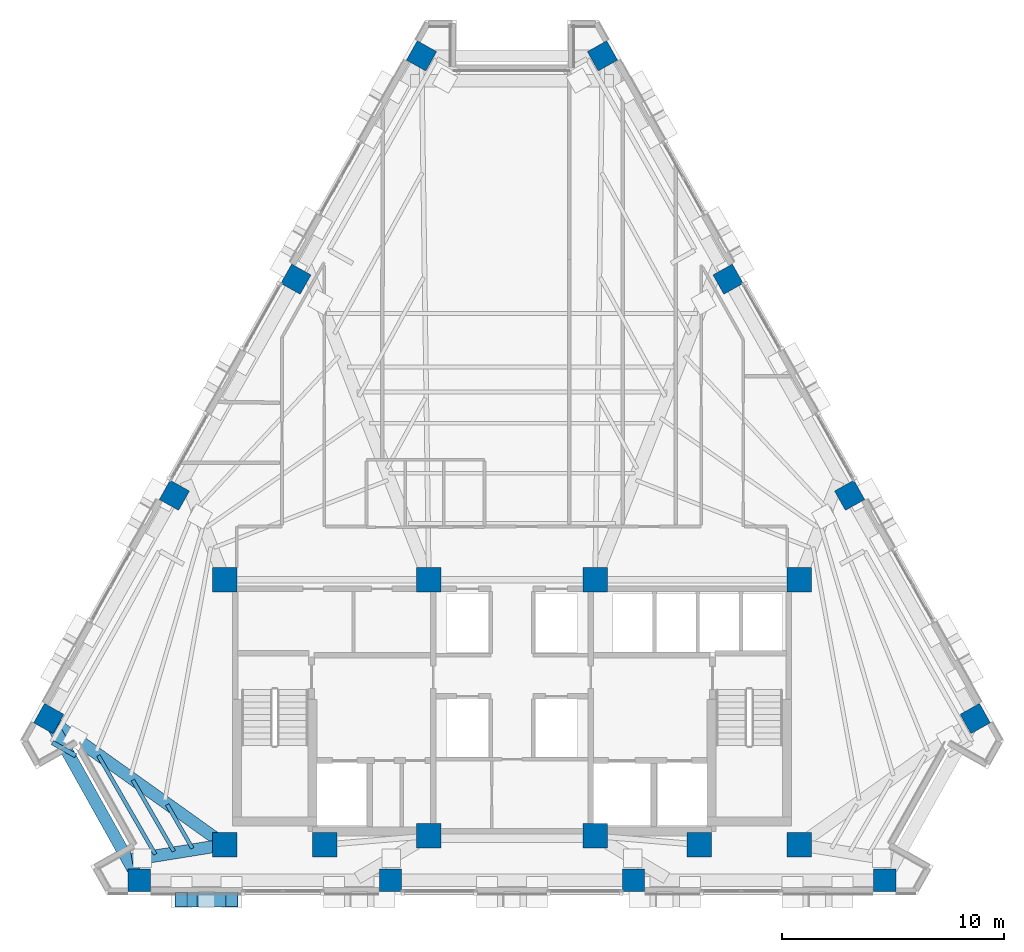
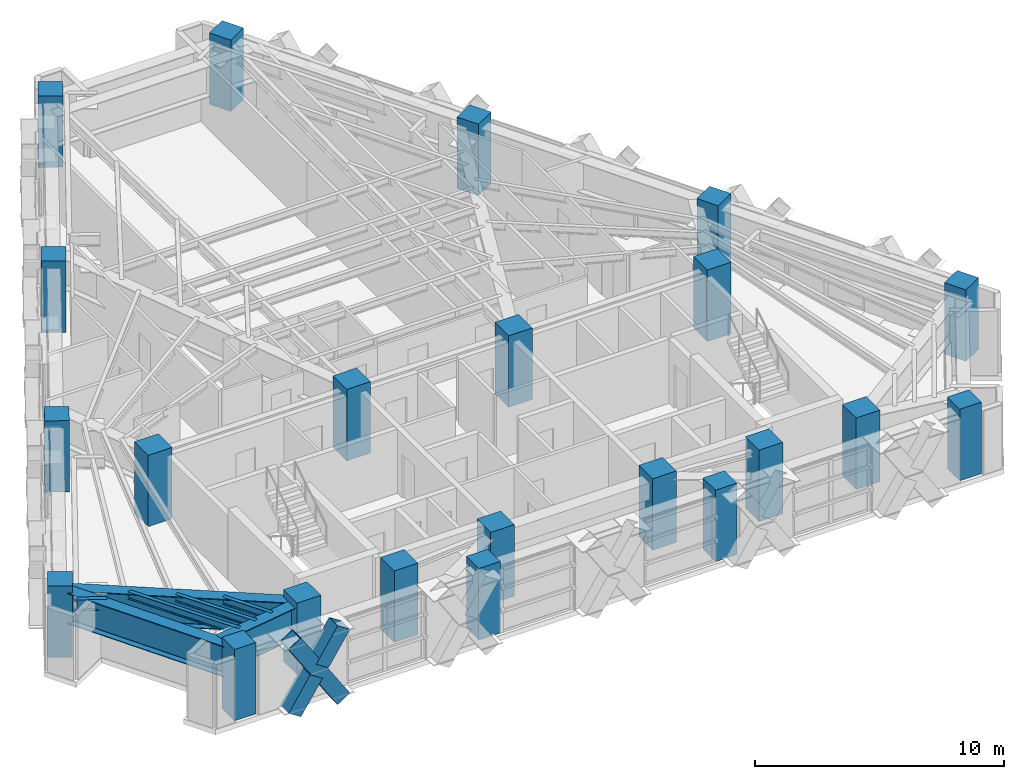
# One storey, part 1 of 13: 22 columns, 7 beams, 3 members.
"""IFC4 building model written with IfcOpenShell, lengths in metres."""

from ifc_helpers import new_model, si_unit, direction, frame, origin, origin_2d, place, context, subcontext, project, spatial, rectangle, hollow_rectangle, i_section, extrude, material, material_profile, profile_set, type_object, element, save


model = new_model("IFC4")

# Units and contexts
model_context = context("Model", 3, precision=1e-05, world=origin(), true_north=direction((0.0, 1.0)))
body_context = subcontext(model_context, "Body", "Model", "MODEL_VIEW")
ifc_project = project(units=[si_unit("LENGTHUNIT", "METRE"), si_unit("AREAUNIT", "SQUARE_METRE"), si_unit("VOLUMEUNIT", "CUBIC_METRE"), si_unit("PLANEANGLEUNIT", "RADIAN"), si_unit("MASSUNIT", "GRAM", prefix="KILO")], contexts=[model_context])

# Site, building, storey
site_placement = place(None, origin())
site = spatial("IfcSite", under=ifc_project, at=site_placement, CompositionType="ELEMENT")
building_placement = place(site_placement, origin())
building = spatial("IfcBuilding", under=site, at=building_placement, Name="Quenlor Broadcast Tower", CompositionType="ELEMENT")
storey_placement = place(building_placement, frame((0.0, 0.0, 175.5)))
storey = spatial("IfcBuildingStorey", under=building, at=storey_placement, Name="L48", CompositionType="ELEMENT", Elevation=175.5)

# Columns
ifc_material_1 = material(Name="Concrete C65/80", Category="concrete")
ifc_material_profile_1 = material_profile(ifc_material_1, rectangle(XDim=1.10009765625, YDim=1.10009765625, at=origin_2d()))
ifc_profile_set_1 = profile_set([ifc_material_profile_1], Name="Concrete C65/80 RC1100x1100")
column_type_1 = type_object("IfcColumnType", Name="Core Corner Column Mid Concrete C65/80 1100", PredefinedType="COLUMN", material=ifc_profile_set_1)
for number, where, z_axis, x_axis, name in (
    (1, (-12.949951171875, -16.75, 0.0), (0.0, 0.0, 1.0), (1.0, 0.0, 0.0), "L48 Core Column CC1"),
    (2, (-8.449951171875, -16.75, 0.0), (0.0, 0.0, 1.0), (1.0, 0.0, 0.0), "L48 Core Column CC2"),
    (3, (-3.75, -16.35009765625, 0.0), (0.0, 0.0, 1.0), (1.0, 0.0, 0.0), "L48 Core Column CC3"),
    (4, (3.75, -16.35009765625, 0.0), (0.0, 0.0, 1.0), (1.0, 0.0, 0.0), "L48 Core Column CC4"),
    (5, (8.449951171875, -16.75, 0.0), (0.0, 0.0, 1.0), (1.0, 0.0, 0.0), "L48 Core Column CC5"),
    (6, (12.949951171875, -16.75, 0.0), (0.0, 0.0, 1.0), (1.0, 0.0, 0.0), "L48 Core Column CC6"),
    (7, (-12.949951171875, -4.800048828125, 0.0), (0.0, 0.0, 1.0), (1.0, 0.0, 0.0), "L48 Core Column CC7"),
    (8, (-3.75, -4.800048828125, 0.0), (0.0, 0.0, 1.0), (1.0, 0.0, 0.0), "L48 Core Column CC8"),
    (9, (3.75, -4.800048828125, 0.0), (0.0, 0.0, 1.0), (1.0, 0.0, 0.0), "L48 Core Column CC9"),
    (10, (12.949951171875, -4.800048828125, 0.0), (0.0, 0.0, 1.0), (1.0, 0.0, 0.0), "L48 Core Column CC10"),
):
    element("IfcColumn", number, at=place(storey_placement, frame(where, z_axis=z_axis, x_axis=x_axis)), inside=storey, type_object=column_type_1, Name=name, PredefinedType="COLUMN", context=body_context, shape_type="SweptSolid", body=[
        extrude(rectangle(XDim=1.10009765625, YDim=1.10009765625, at=origin_2d()), origin(), (0.0, 0.0, 1.0), 3.5),
    ])
ifc_material_2 = material(Name="Concrete C50/60", Category="concrete")
ifc_material_profile_2 = material_profile(ifc_material_2, rectangle(XDim=1.0, YDim=1.0, at=origin_2d()))
ifc_profile_set_2 = profile_set([ifc_material_profile_2], Name="Concrete C50/60 RC1000x1000")
column_type_2 = type_object("IfcColumnType", Name="Tower Perimeter Column Z3 Concrete C50/60 1000", PredefinedType="COLUMN", material=ifc_profile_set_2)
for number, where, z_axis, x_axis, name in (
    (11, (-16.808349609375, -18.35009765625, 0.0), (0.0, 0.0, 1.0), (0.0, 1.0, 0.0), "L48 Perimeter Column S1"),
    (12, (-5.48095703125, -18.35009765625, 0.0), (0.0, 0.0, 1.0), (0.0, 1.0, 0.0), "L48 Perimeter Column S2"),
    (13, (5.48095703125, -18.35009765625, 0.0), (0.0, 0.0, 1.0), (0.0, 1.0, 0.0), "L48 Perimeter Column S3"),
    (14, (16.808349609375, -18.35009765625, 0.0), (0.0, 0.0, 1.0), (0.0, 1.0, 0.0), "L48 Perimeter Column S4"),
    (15, (20.8876953125, -11.0595703125, 0.0), (0.0, 0.0, 1.0), (0.871575139605, 0.490261946333, 0.0), "L48 Perimeter Column NE1"),
    (16, (15.22412109375, -0.99072265625, 0.0), (0.0, 0.0, 1.0), (0.871575139605, 0.490261946333, 0.0), "L48 Perimeter Column NE2"),
    (17, (9.742919921875, 8.75341796875, 0.0), (0.0, 0.0, 1.0), (0.871575139605, 0.490261946333, 0.0), "L48 Perimeter Column NE3"),
    (18, (4.079345703125, 18.822021484375, 0.0), (0.0, 0.0, 1.0), (0.871575139605, 0.490261946333, 0.0), "L48 Perimeter Column NE4"),
    (19, (-4.079345703125, 18.822021484375, 0.0), (0.0, 0.0, 1.0), (-0.871575139605, 0.490261946333, 0.0), "L48 Perimeter Column NW1"),
    (20, (-9.742919921875, 8.75341796875, 0.0), (0.0, 0.0, 1.0), (-0.871575139605, 0.490261946333, 0.0), "L48 Perimeter Column NW2"),
    (21, (-15.22412109375, -0.99072265625, 0.0), (0.0, 0.0, 1.0), (-0.871575139605, 0.490261946333, 0.0), "L48 Perimeter Column NW3"),
    (22, (-20.8876953125, -11.0595703125, 0.0), (0.0, 0.0, 1.0), (-0.871575139605, 0.490261946333, 0.0), "L48 Perimeter Column NW4"),
):
    element("IfcColumn", number, at=place(storey_placement, frame(where, z_axis=z_axis, x_axis=x_axis)), inside=storey, type_object=column_type_2, Name=name, PredefinedType="COLUMN", context=body_context, shape_type="SweptSolid", body=[
        extrude(rectangle(XDim=1.0, YDim=1.0, at=origin_2d()), origin(), (0.0, 0.0, 1.0), 3.5),
    ])

# Members
ifc_material_3 = material(Name="Steel S355", Category="steel")
ifc_material_profile_3 = material_profile(ifc_material_3, hollow_rectangle(XDim=0.679931640625, YDim=0.679931640625, WallThickness=0.02490234375, at=origin_2d()))
ifc_profile_set_3 = profile_set([ifc_material_profile_3], Name="Steel S355 RHS680x680x25")
member_type = type_object("IfcMemberType", Name="Perimeter Diagonal Lattice Brace Z3-Z4 Steel S355 RHS680x25", PredefinedType="BRACE", material=ifc_profile_set_3)
member_1_placement = place(storey_placement, frame((-12.641845703125, -19.219970703125, -0.1201171875), z_axis=(-0.543860340502, 0.0, 0.839175744424), x_axis=(0.0, -1.0, 0.0)))
element("IfcMember", 23, at=member_1_placement, inside=storey, type_object=member_type, Name="L48 Perimeter Diamond Lattice S-C5XA", PredefinedType="BRACE", context=body_context, shape_type="SweptSolid", body=[
    extrude(hollow_rectangle(XDim=0.679931640625, YDim=0.679931640625, WallThickness=0.02490234375, at=origin_2d()), origin(), (0.0, 0.0, 1.0), 4.170654296875),
])
member_2_placement = place(storey_placement, frame((-14.91015625, -19.219970703125, -0.1201171875), z_axis=(0.543786168213, 0.0, 0.839223809994), x_axis=(0.0, 1.0, 0.0)))
element("IfcMember", 24, at=member_2_placement, inside=storey, type_object=member_type, Name="L48 Perimeter Diamond Lattice S-C5XB1", PredefinedType="BRACE", context=body_context, shape_type="SweptSolid", body=[
    extrude(hollow_rectangle(XDim=0.679931640625, YDim=0.679931640625, WallThickness=0.02490234375, at=origin_2d()), origin(), (0.0, 0.0, 1.0), 1.83544921875),
])
member_3_placement = place(storey_placement, frame((-13.639892578125, -19.219970703125, 1.83984375), z_axis=(0.543846878394, 0.0, 0.839184468911), x_axis=(0.0, 1.0, 0.0)))
element("IfcMember", 25, at=member_3_placement, inside=storey, type_object=member_type, Name="L48 Perimeter Diamond Lattice S-C5XB2", PredefinedType="BRACE", context=body_context, shape_type="SweptSolid", body=[
    extrude(hollow_rectangle(XDim=0.679931640625, YDim=0.679931640625, WallThickness=0.02490234375, at=origin_2d()), origin(), (0.0, 0.0, 1.0), 1.835205078125),
])

# Beams
ifc_material_4 = material(Name="Steel S355", Category="steel")
ifc_material_profile_4 = material_profile(ifc_material_4, i_section(OverallWidth=0.208984375, OverallDepth=0.532958984375, WebThickness=0.01025390625, FlangeThickness=0.015625, FilletRadius=0.013916015625, at=origin_2d()))
ifc_profile_set_4 = profile_set([ifc_material_profile_4], Name="Steel S355 530UB92.4")
beam_type_1 = type_object("IfcBeamType", Name="Perimeter Spandrel Beam Z1 Steel S355 530UB92.4", PredefinedType="SPANDREL", material=ifc_profile_set_4)
beam_1_placement = place(storey_placement, frame((-19.671875, -12.734375, 2.87353515625), z_axis=(-0.871575537125, 0.490261239633, 0.0), x_axis=(-0.490261239633, -0.871575537125, 0.0)))
element("IfcBeam", 26, at=beam_1_placement, inside=storey, type_object=beam_type_1, Name="L48 Lattice Sill Radial Tie NWA1", PredefinedType="SPANDREL", context=body_context, shape_type="SweptSolid", body=[
    extrude(i_section(OverallWidth=0.208984375, OverallDepth=0.532958984375, WebThickness=0.01025390625, FlangeThickness=0.015625, FilletRadius=0.013916015625, at=origin_2d()), origin(), (0.0, 0.0, 1.0), 1.210205078125),
])
ifc_material_5 = material(Name="Steel S355", Category="steel")
ifc_material_profile_5 = material_profile(ifc_material_5, i_section(OverallWidth=0.172119140625, OverallDepth=0.358642578125, WebThickness=0.008056640625, FlangeThickness=0.012939453125, FilletRadius=0.011474609375, at=origin_2d()))
ifc_profile_set_5 = profile_set([ifc_material_profile_5], Name="Steel S355 360UB56.7")
beam_type_2 = type_object("IfcBeamType", Name="Tower Composite Joist Z2-Z3 Steel S355 360UB56.7", PredefinedType="JOIST", material=ifc_profile_set_5)
beam_2_placement = place(storey_placement, frame((-14.412109375, -16.90966796875, 2.960693359375), z_axis=(-0.499521162085, 0.866301684536, 0.0), x_axis=(-0.866301684536, -0.499521162085, 0.0)))
element("IfcBeam", 27, at=beam_2_placement, inside=storey, type_object=beam_type_2, Name="L48 Secondary Composite Joist 19", PredefinedType="JOIST", context=body_context, shape_type="SweptSolid", body=[
    extrude(i_section(OverallWidth=0.172119140625, OverallDepth=0.358642578125, WebThickness=0.008056640625, FlangeThickness=0.012939453125, FilletRadius=0.011474609375, at=origin_2d()), origin(), (0.0, 0.0, 1.0), 2.275146484375),
])
beam_3_placement = place(storey_placement, frame((-15.248779296875, -17.04443359375, 2.960693359375), z_axis=(-0.499503898211, 0.866311638888, 0.0), x_axis=(-0.866311638888, -0.499503898211, 0.0)))
element("IfcBeam", 28, at=beam_3_placement, inside=storey, type_object=beam_type_2, Name="L48 Secondary Composite Joist 20", PredefinedType="JOIST", context=body_context, shape_type="SweptSolid", body=[
    extrude(i_section(OverallWidth=0.172119140625, OverallDepth=0.358642578125, WebThickness=0.008056640625, FlangeThickness=0.012939453125, FilletRadius=0.011474609375, at=origin_2d()), origin(), (0.0, 0.0, 1.0), 3.707275390625),
])
beam_4_placement = place(storey_placement, frame((-16.08544921875, -17.17919921875, 2.960693359375), z_axis=(-0.499475700835, 0.866327896512, 0.0), x_axis=(-0.866327896512, -0.499475700835, 0.0)))
element("IfcBeam", 29, at=beam_4_placement, inside=storey, type_object=beam_type_2, Name="L48 Secondary Composite Joist 21", PredefinedType="JOIST", context=body_context, shape_type="SweptSolid", body=[
    extrude(i_section(OverallWidth=0.172119140625, OverallDepth=0.358642578125, WebThickness=0.008056640625, FlangeThickness=0.012939453125, FilletRadius=0.011474609375, at=origin_2d()), origin(), (0.0, 0.0, 1.0), 5.1396484375),
])
ifc_material_6 = material(Name="Steel S355", Category="steel")
ifc_material_profile_6 = material_profile(ifc_material_6, i_section(OverallWidth=0.550048828125, OverallDepth=1.5, WebThickness=0.02197265625, FlangeThickness=0.034912109375, FilletRadius=0.01806640625, at=origin_2d()))
ifc_profile_set_6 = profile_set([ifc_material_profile_6], Name="Steel S355 1500TG510")
beam_type_3 = type_object("IfcBeamType", Name="Zone Setback Transfer Girder Steel S355 1500", PredefinedType="BEAM", material=ifc_profile_set_6)
beam_5_placement = place(storey_placement, frame((-20.6875, -11.417236328125, 2.389892578125), z_axis=(0.488298439934, -0.872676706208, 0.0), x_axis=(0.872676706208, 0.488298439934, 0.0)))
element("IfcBeam", 30, at=beam_5_placement, inside=storey, type_object=beam_type_3, Name="L48 Spandrel Beam NW4-S1", PredefinedType="BEAM", context=body_context, shape_type="SweptSolid", body=[
    extrude(i_section(OverallWidth=0.550048828125, OverallDepth=1.5, WebThickness=0.02197265625, FlangeThickness=0.034912109375, FilletRadius=0.01806640625, at=origin_2d()), origin(), (0.0, 0.0, 1.0), 7.5341796875),
])
beam_6_placement = place(storey_placement, frame((-13.3251953125, -16.810302734375, 2.389892578125), z_axis=(-0.987277366944, -0.159007549257, 0.0), x_axis=(0.159007549257, -0.987277366944, 0.0)))
element("IfcBeam", 31, at=beam_6_placement, inside=storey, type_object=beam_type_3, Name="L48 Setback Transfer Girder S1", PredefinedType="BEAM", context=body_context, shape_type="SweptSolid", body=[
    extrude(i_section(OverallWidth=0.550048828125, OverallDepth=1.5, WebThickness=0.02197265625, FlangeThickness=0.034912109375, FilletRadius=0.01806640625, at=origin_2d()), origin(), (0.0, 0.0, 1.0), 3.85693359375),
])
beam_7_placement = place(storey_placement, frame((-13.259521484375, -16.529541015625, 2.389892578125), z_axis=(-0.81433342054, 0.580397346817, 0.0), x_axis=(-0.580397346817, -0.81433342054, 0.0)))
element("IfcBeam", 32, at=beam_7_placement, inside=storey, type_object=beam_type_3, Name="L48 Setback Transfer Girder NW4", PredefinedType="BEAM", context=body_context, shape_type="SweptSolid", body=[
    extrude(i_section(OverallWidth=0.550048828125, OverallDepth=1.5, WebThickness=0.02197265625, FlangeThickness=0.034912109375, FilletRadius=0.01806640625, at=origin_2d()), origin(), (0.0, 0.0, 1.0), 9.1494140625),
])

save(model, "model.ifc")
